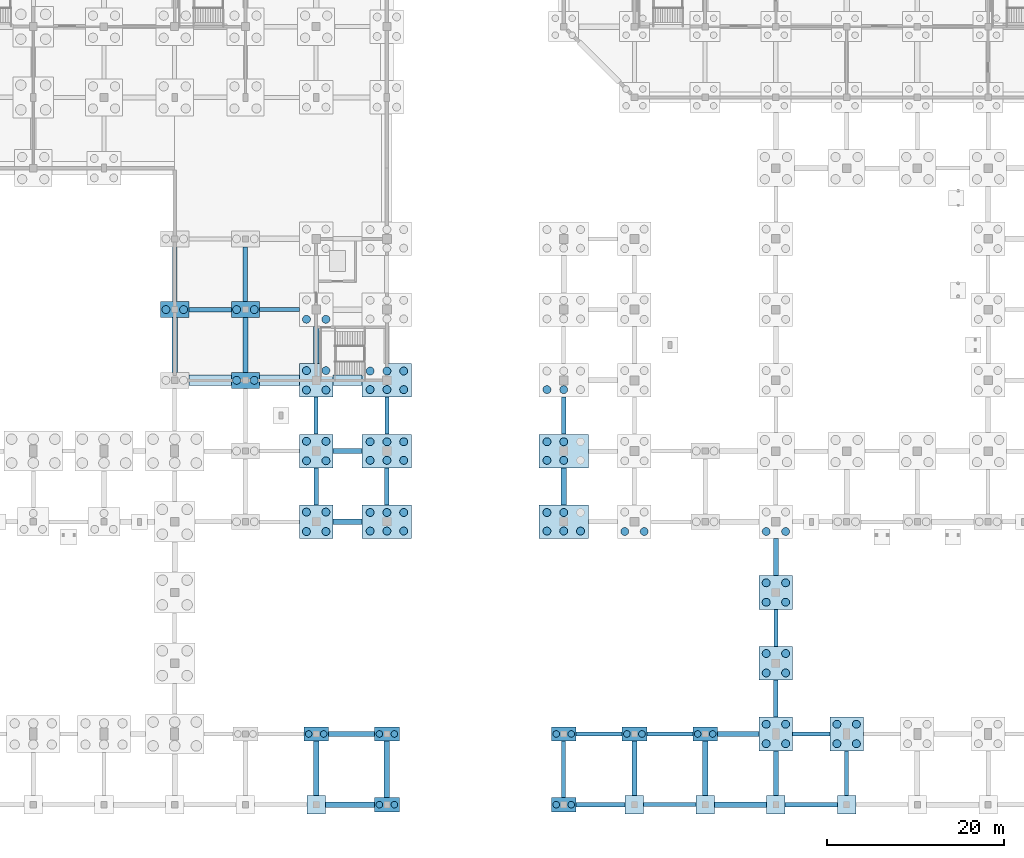
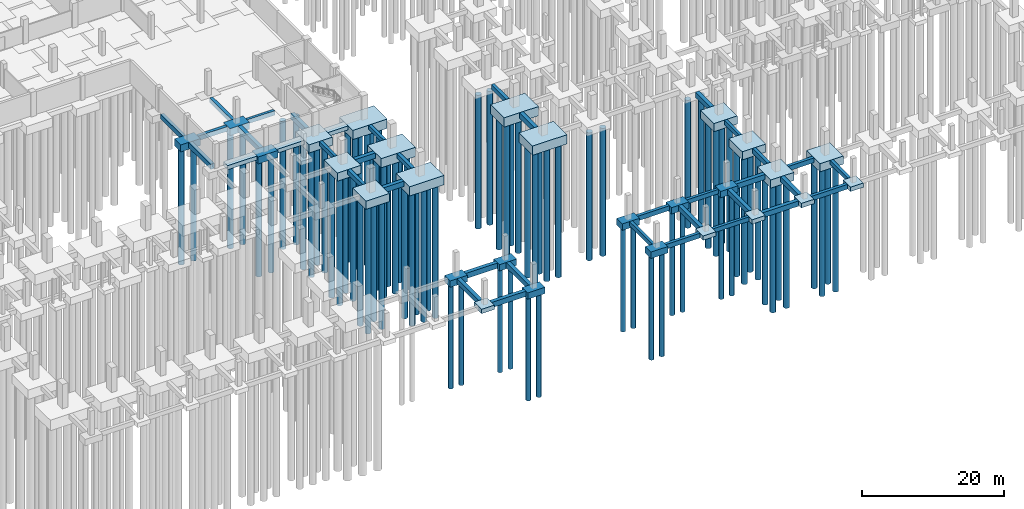
# One storey, part 3 of 32: 83 piles, 65 footings.
"""IFC4 building model written with IfcOpenShell, lengths in metres."""

from ifc_helpers import new_model, si_unit, direction, frame, origin, origin_2d, place, context, subcontext, project, spatial, polyline, rectangle, circle, outline, extrude, material, material_profile, profile_set, type_object, element, save


model = new_model("IFC4")

# Units and contexts
model_context = context("Model", 3, precision=1e-05, world=origin(), true_north=direction((0.0, 1.0)))
body_context = subcontext(model_context, "Body", "Model", "MODEL_VIEW")
ifc_project = project(units=[si_unit("LENGTHUNIT", "METRE"), si_unit("AREAUNIT", "SQUARE_METRE"), si_unit("VOLUMEUNIT", "CUBIC_METRE"), si_unit("PLANEANGLEUNIT", "RADIAN"), si_unit("MASSUNIT", "GRAM", prefix="KILO")], contexts=[model_context])

# Site, building, storey
site_placement = place(None, origin())
site = spatial("IfcSite", under=ifc_project, at=site_placement, CompositionType="ELEMENT")
building_placement = place(site_placement, origin())
building = spatial("IfcBuilding", under=site, at=building_placement, Name="Tenunan Teduh Sports Hall", CompositionType="ELEMENT")
storey_placement = place(building_placement, frame((0.0, 0.0, -4.199951171875)))
storey = spatial("IfcBuildingStorey", under=building, at=storey_placement, Name="B1", CompositionType="ELEMENT", Elevation=-4.199951171875)

# Footings
ifc_material_1 = material(Name="Concrete C40/50", Category="concrete")
ifc_material_profile_1 = material_profile(ifc_material_1, rectangle(XDim=0.449951171875, YDim=0.75, at=origin_2d()), Name="RCB 450x750")
ifc_profile_set_1 = profile_set([ifc_material_profile_1], Name="Concrete C40/50")
footing_type_1 = type_object("IfcFootingType", Name="GB-450x750", PredefinedType="FOOTING_BEAM", material=ifc_profile_set_1)
footing_1_placement = place(storey_placement, frame((107.052001953125, 6.0, -0.375), z_axis=(1.0, 0.0, 0.0), x_axis=(0.0, 1.0, 0.0)))
element("IfcFooting", 1, at=footing_1_placement, inside=storey, type_object=footing_type_1, Name="FTG-GBX-011", PredefinedType="FOOTING_BEAM", context=body_context, shape_type="SweptSolid", body=[
    extrude(rectangle(XDim=0.449951171875, YDim=0.75, at=origin_2d()), origin(), (0.0, 0.0, 1.0), 5.89599609375),
])
footing_2_placement = place(storey_placement, frame((107.402099609375, 14.0, -0.375), z_axis=(1.0, 0.0, 0.0), x_axis=(0.0, 1.0, 0.0)))
element("IfcFooting", 2, at=footing_2_placement, inside=storey, type_object=footing_type_1, Name="FTG-GBX-029", PredefinedType="FOOTING_BEAM", context=body_context, shape_type="SweptSolid", body=[
    extrude(rectangle(XDim=0.449951171875, YDim=0.75, at=origin_2d()), origin(), (0.0, 0.0, 1.0), 5.19580078125),
])
footing_3_placement = place(storey_placement, frame((63.60205078125, 62.0, -0.375), z_axis=(1.0, 0.0, 0.0), x_axis=(0.0, 1.0, 0.0)))
element("IfcFooting", 3, at=footing_3_placement, inside=storey, type_object=footing_type_1, Name="FTG-GBX-086", PredefinedType="FOOTING_BEAM", context=body_context, shape_type="SweptSolid", body=[
    extrude(rectangle(XDim=0.449951171875, YDim=0.75, at=origin_2d()), origin(), (0.0, 0.0, 1.0), 4.495849609375),
])
for number, where, z_axis, x_axis, name in (
    (4, (70.0, 47.902099609375, -0.375), (0.0, 1.0, 0.0), (-1.0, 0.0, 0.0), "FTG-GBY-246"),
    (5, (78.0, 47.902099609375, -0.375), (0.0, 1.0, 0.0), (-1.0, 0.0, 0.0), "FTG-GBY-255"),
):
    element("IfcFooting", number, at=place(storey_placement, frame(where, z_axis=z_axis, x_axis=x_axis)), inside=storey, type_object=footing_type_1, Name=name, PredefinedType="FOOTING_BEAM", context=body_context, shape_type="SweptSolid", body=[
        extrude(rectangle(XDim=0.449951171875, YDim=0.75, at=origin_2d()), origin(), (0.0, 0.0, 1.0), 4.19580078125),
    ])
footing_4_placement = place(storey_placement, frame((98.0, 6.802001953125, -0.375), z_axis=(0.0, 1.0, 0.0), x_axis=(-1.0, 0.0, 0.0)))
element("IfcFooting", 6, at=footing_4_placement, inside=storey, type_object=footing_type_1, Name="FTG-GBY-258", PredefinedType="FOOTING_BEAM", context=body_context, shape_type="SweptSolid", body=[
    extrude(rectangle(XDim=0.449951171875, YDim=0.75, at=origin_2d()), origin(), (0.0, 0.0, 1.0), 6.39599609375),
])
footing_5_placement = place(storey_placement, frame((122.0, 23.902099609375, -0.375), z_axis=(0.0, 1.0, 0.0), x_axis=(-1.0, 0.0, 0.0)))
element("IfcFooting", 7, at=footing_5_placement, inside=storey, type_object=footing_type_1, Name="FTG-GBY-280", PredefinedType="FOOTING_BEAM", context=body_context, shape_type="SweptSolid", body=[
    extrude(rectangle(XDim=0.449951171875, YDim=0.75, at=origin_2d()), origin(), (0.0, 0.0, 1.0), 4.19580078125),
])
footing_6_placement = place(storey_placement, frame((130.0, 7.052001953125, -0.375), z_axis=(0.0, 1.0, 0.0), x_axis=(-1.0, 0.0, 0.0)))
element("IfcFooting", 8, at=footing_6_placement, inside=storey, type_object=footing_type_1, Name="FTG-GBY-292", PredefinedType="FOOTING_BEAM", context=body_context, shape_type="SweptSolid", body=[
    extrude(rectangle(XDim=0.449951171875, YDim=0.75, at=origin_2d()), origin(), (0.0, 0.0, 1.0), 5.0458984375),
])
ifc_material_2 = material(Name="Concrete C40/50", Category="concrete")
ifc_material_profile_2 = material_profile(ifc_material_2, rectangle(XDim=0.5, YDim=0.800048828125, at=origin_2d()), Name="RCB 500x800")
ifc_profile_set_2 = profile_set([ifc_material_profile_2], Name="Concrete C40/50")
footing_type_2 = type_object("IfcFootingType", Name="GB-500x800", PredefinedType="FOOTING_BEAM", material=ifc_profile_set_2)
footing_7_placement = place(storey_placement, frame((99.402099609375, 6.0, -0.400146484375), z_axis=(1.0, 0.0, 0.0), x_axis=(0.0, 1.0, 0.0)))
element("IfcFooting", 9, at=footing_7_placement, inside=storey, type_object=footing_type_2, Name="FTG-GBX-010", PredefinedType="FOOTING_BEAM", context=body_context, shape_type="SweptSolid", body=[
    extrude(rectangle(XDim=0.5, YDim=0.800048828125, at=origin_2d()), origin(), (0.0, 0.0, 1.0), 5.5458984375),
])
footing_8_placement = place(storey_placement, frame((123.052001953125, 6.0, -0.400146484375), z_axis=(1.0, 0.0, 0.0), x_axis=(0.0, 1.0, 0.0)))
element("IfcFooting", 10, at=footing_8_placement, inside=storey, type_object=footing_type_2, Name="FTG-GBX-013", PredefinedType="FOOTING_BEAM", context=body_context, shape_type="SweptSolid", body=[
    extrude(rectangle(XDim=0.5, YDim=0.800048828125, at=origin_2d()), origin(), (0.0, 0.0, 1.0), 5.89599609375),
])
footing_9_placement = place(storey_placement, frame((99.402099609375, 14.0, -0.400146484375), z_axis=(1.0, 0.0, 0.0), x_axis=(0.0, 1.0, 0.0)))
element("IfcFooting", 11, at=footing_9_placement, inside=storey, type_object=footing_type_2, Name="FTG-GBX-028", PredefinedType="FOOTING_BEAM", context=body_context, shape_type="SweptSolid", body=[
    extrude(rectangle(XDim=0.5, YDim=0.800048828125, at=origin_2d()), origin(), (0.0, 0.0, 1.0), 5.19580078125),
])
footing_10_placement = place(storey_placement, frame((123.902099609375, 14.0, -0.400146484375), z_axis=(1.0, 0.0, 0.0), x_axis=(0.0, 1.0, 0.0)))
element("IfcFooting", 12, at=footing_10_placement, inside=storey, type_object=footing_type_2, Name="FTG-GBX-031", PredefinedType="FOOTING_BEAM", context=body_context, shape_type="SweptSolid", body=[
    extrude(rectangle(XDim=0.5, YDim=0.800048828125, at=origin_2d()), origin(), (0.0, 0.0, 1.0), 4.19580078125),
])
footing_11_placement = place(storey_placement, frame((55.60205078125, 62.0, -0.400146484375), z_axis=(1.0, 0.0, 0.0), x_axis=(0.0, 1.0, 0.0)))
element("IfcFooting", 13, at=footing_11_placement, inside=storey, type_object=footing_type_2, Name="FTG-GBX-085", PredefinedType="FOOTING_BEAM", context=body_context, shape_type="SweptSolid", body=[
    extrude(rectangle(XDim=0.5, YDim=0.800048828125, at=origin_2d()), origin(), (0.0, 0.0, 1.0), 4.7958984375),
])
for number, where, z_axis, x_axis, name in (
    (14, (54.0, 62.902099609375, -0.400146484375), (0.0, 1.0, 0.0), (-1.0, 0.0, 0.0), "FTG-GBY-230"),
    (15, (62.0, 62.902099609375, -0.400146484375), (0.0, 1.0, 0.0), (-1.0, 0.0, 0.0), "FTG-GBY-239"),
):
    element("IfcFooting", number, at=place(storey_placement, frame(where, z_axis=z_axis, x_axis=x_axis)), inside=storey, type_object=footing_type_2, Name=name, PredefinedType="FOOTING_BEAM", context=body_context, shape_type="SweptSolid", body=[
        extrude(rectangle(XDim=0.5, YDim=0.800048828125, at=origin_2d()), origin(), (0.0, 0.0, 1.0), 6.19580078125),
    ])
for number, where, z_axis, x_axis, name in (
    (16, (70.0, 39.902099609375, -0.400146484375), (0.0, 1.0, 0.0), (-1.0, 0.0, 0.0), "FTG-GBY-245"),
    (17, (78.0, 39.902099609375, -0.400146484375), (0.0, 1.0, 0.0), (-1.0, 0.0, 0.0), "FTG-GBY-254"),
    (18, (98.0, 47.902099609375, -0.400146484375), (0.0, 1.0, 0.0), (-1.0, 0.0, 0.0), "FTG-GBY-260"),
    (19, (122.0, 15.902099609375, -0.400146484375), (0.0, 1.0, 0.0), (-1.0, 0.0, 0.0), "FTG-GBY-279"),
):
    element("IfcFooting", number, at=place(storey_placement, frame(where, z_axis=z_axis, x_axis=x_axis)), inside=storey, type_object=footing_type_2, Name=name, PredefinedType="FOOTING_BEAM", context=body_context, shape_type="SweptSolid", body=[
        extrude(rectangle(XDim=0.5, YDim=0.800048828125, at=origin_2d()), origin(), (0.0, 0.0, 1.0), 4.19580078125),
    ])
ifc_material_3 = material(Name="Concrete C40/50", Category="concrete")
ifc_material_profile_3 = material_profile(ifc_material_3, rectangle(XDim=0.60009765625, YDim=0.89990234375, at=origin_2d()), Name="RCB 600x900")
ifc_profile_set_3 = profile_set([ifc_material_profile_3], Name="Concrete C40/50")
footing_type_3 = type_object("IfcFootingType", Name="GB-600x900", PredefinedType="FOOTING_BEAM", material=ifc_profile_set_3)
footing_12_placement = place(storey_placement, frame((71.052001953125, 6.0, -0.449951171875), z_axis=(1.0, 0.0, 0.0), x_axis=(0.0, 1.0, 0.0)))
element("IfcFooting", 20, at=footing_12_placement, inside=storey, type_object=footing_type_3, Name="FTG-GBX-009", PredefinedType="FOOTING_BEAM", context=body_context, shape_type="SweptSolid", body=[
    extrude(rectangle(XDim=0.60009765625, YDim=0.89990234375, at=origin_2d()), origin(), (0.0, 0.0, 1.0), 5.5458984375),
])
footing_13_placement = place(storey_placement, frame((115.052001953125, 6.0, -0.449951171875), z_axis=(1.0, 0.0, 0.0), x_axis=(0.0, 1.0, 0.0)))
element("IfcFooting", 21, at=footing_13_placement, inside=storey, type_object=footing_type_3, Name="FTG-GBX-012", PredefinedType="FOOTING_BEAM", context=body_context, shape_type="SweptSolid", body=[
    extrude(rectangle(XDim=0.60009765625, YDim=0.89990234375, at=origin_2d()), origin(), (0.0, 0.0, 1.0), 5.89599609375),
])
footing_14_placement = place(storey_placement, frame((71.402099609375, 14.0, -0.449951171875), z_axis=(1.0, 0.0, 0.0), x_axis=(0.0, 1.0, 0.0)))
element("IfcFooting", 22, at=footing_14_placement, inside=storey, type_object=footing_type_3, Name="FTG-GBX-027", PredefinedType="FOOTING_BEAM", context=body_context, shape_type="SweptSolid", body=[
    extrude(rectangle(XDim=0.60009765625, YDim=0.89990234375, at=origin_2d()), origin(), (0.0, 0.0, 1.0), 5.19580078125),
])
footing_15_placement = place(storey_placement, frame((115.402099609375, 14.0, -0.449951171875), z_axis=(1.0, 0.0, 0.0), x_axis=(0.0, 1.0, 0.0)))
element("IfcFooting", 23, at=footing_15_placement, inside=storey, type_object=footing_type_3, Name="FTG-GBX-030", PredefinedType="FOOTING_BEAM", context=body_context, shape_type="SweptSolid", body=[
    extrude(rectangle(XDim=0.60009765625, YDim=0.89990234375, at=origin_2d()), origin(), (0.0, 0.0, 1.0), 4.69580078125),
])
for number, where, z_axis, x_axis, name in (
    (24, (71.902099609375, 38.0, -0.449951171875), (1.0, 0.0, 0.0), (0.0, 1.0, 0.0), "FTG-GBX-048"),
    (25, (71.902099609375, 46.0, -0.449951171875), (1.0, 0.0, 0.0), (0.0, 1.0, 0.0), "FTG-GBX-069"),
):
    element("IfcFooting", number, at=place(storey_placement, frame(where, z_axis=z_axis, x_axis=x_axis)), inside=storey, type_object=footing_type_3, Name=name, PredefinedType="FOOTING_BEAM", context=body_context, shape_type="SweptSolid", body=[
        extrude(rectangle(XDim=0.60009765625, YDim=0.89990234375, at=origin_2d()), origin(), (0.0, 0.0, 1.0), 3.2958984375),
    ])
for number, where, z_axis, x_axis, name in (
    (26, (54.0, 54.902099609375, -0.449951171875), (0.0, 1.0, 0.0), (-1.0, 0.0, 0.0), "FTG-GBY-229"),
    (27, (62.0, 54.902099609375, -0.449951171875), (0.0, 1.0, 0.0), (-1.0, 0.0, 0.0), "FTG-GBY-238"),
):
    element("IfcFooting", number, at=place(storey_placement, frame(where, z_axis=z_axis, x_axis=x_axis)), inside=storey, type_object=footing_type_3, Name=name, PredefinedType="FOOTING_BEAM", context=body_context, shape_type="SweptSolid", body=[
        extrude(rectangle(XDim=0.60009765625, YDim=0.89990234375, at=origin_2d()), origin(), (0.0, 0.0, 1.0), 6.19580078125),
    ])
footing_16_placement = place(storey_placement, frame((70.0, 7.052001953125, -0.449951171875), z_axis=(0.0, 1.0, 0.0), x_axis=(-1.0, 0.0, 0.0)))
element("IfcFooting", 28, at=footing_16_placement, inside=storey, type_object=footing_type_3, Name="FTG-GBY-244", PredefinedType="FOOTING_BEAM", context=body_context, shape_type="SweptSolid", body=[
    extrude(rectangle(XDim=0.60009765625, YDim=0.89990234375, at=origin_2d()), origin(), (0.0, 0.0, 1.0), 6.14599609375),
])
footing_17_placement = place(storey_placement, frame((70.0, 55.902099609375, -0.449951171875), z_axis=(0.0, 1.0, 0.0), x_axis=(-1.0, 0.0, 0.0)))
element("IfcFooting", 29, at=footing_17_placement, inside=storey, type_object=footing_type_3, Name="FTG-GBY-247", PredefinedType="FOOTING_BEAM", context=body_context, shape_type="SweptSolid", body=[
    extrude(rectangle(XDim=0.60009765625, YDim=0.89990234375, at=origin_2d()), origin(), (0.0, 0.0, 1.0), 4.19580078125),
])
footing_18_placement = place(storey_placement, frame((78.0, 6.802001953125, -0.449951171875), z_axis=(0.0, 1.0, 0.0), x_axis=(-1.0, 0.0, 0.0)))
element("IfcFooting", 30, at=footing_18_placement, inside=storey, type_object=footing_type_3, Name="FTG-GBY-253", PredefinedType="FOOTING_BEAM", context=body_context, shape_type="SweptSolid", body=[
    extrude(rectangle(XDim=0.60009765625, YDim=0.89990234375, at=origin_2d()), origin(), (0.0, 0.0, 1.0), 6.39599609375),
])
footing_19_placement = place(storey_placement, frame((98.0, 39.902099609375, -0.449951171875), z_axis=(0.0, 1.0, 0.0), x_axis=(-1.0, 0.0, 0.0)))
element("IfcFooting", 31, at=footing_19_placement, inside=storey, type_object=footing_type_3, Name="FTG-GBY-259", PredefinedType="FOOTING_BEAM", context=body_context, shape_type="SweptSolid", body=[
    extrude(rectangle(XDim=0.60009765625, YDim=0.89990234375, at=origin_2d()), origin(), (0.0, 0.0, 1.0), 4.19580078125),
])
for number, where, z_axis, x_axis, name in (
    (32, (106.0, 7.052001953125, -0.449951171875), (0.0, 1.0, 0.0), (-1.0, 0.0, 0.0), "FTG-GBY-263"),
    (33, (114.0, 7.052001953125, -0.449951171875), (0.0, 1.0, 0.0), (-1.0, 0.0, 0.0), "FTG-GBY-272"),
):
    element("IfcFooting", number, at=place(storey_placement, frame(where, z_axis=z_axis, x_axis=x_axis)), inside=storey, type_object=footing_type_3, Name=name, PredefinedType="FOOTING_BEAM", context=body_context, shape_type="SweptSolid", body=[
        extrude(rectangle(XDim=0.60009765625, YDim=0.89990234375, at=origin_2d()), origin(), (0.0, 0.0, 1.0), 6.14599609375),
    ])
footing_20_placement = place(storey_placement, frame((122.0, 7.052001953125, -0.449951171875), z_axis=(0.0, 1.0, 0.0), x_axis=(-1.0, 0.0, 0.0)))
element("IfcFooting", 34, at=footing_20_placement, inside=storey, type_object=footing_type_3, Name="FTG-GBY-278", PredefinedType="FOOTING_BEAM", context=body_context, shape_type="SweptSolid", body=[
    extrude(rectangle(XDim=0.60009765625, YDim=0.89990234375, at=origin_2d()), origin(), (0.0, 0.0, 1.0), 5.0458984375),
])
footing_21_placement = place(storey_placement, frame((122.0, 31.902099609375, -0.449951171875), z_axis=(0.0, 1.0, 0.0), x_axis=(-1.0, 0.0, 0.0)))
element("IfcFooting", 35, at=footing_21_placement, inside=storey, type_object=footing_type_3, Name="FTG-GBY-281", PredefinedType="FOOTING_BEAM", context=body_context, shape_type="SweptSolid", body=[
    extrude(rectangle(XDim=0.60009765625, YDim=0.89990234375, at=origin_2d()), origin(), (0.0, 0.0, 1.0), 4.19580078125),
])
ifc_material_4 = material(Name="Concrete C40/50", Category="concrete")
footing_type_4 = type_object("IfcFootingType", Name="PC-2A", PredefinedType="PILE_CAP", material=ifc_material_4)
for number, where, z_axis, x_axis, name in (
    (36, (70.0, 14.0, -1.10009765625), (0.0, 0.0, 1.0), (1.0, 0.0, 0.0), "FTG-PC-098"),
    (37, (78.0, 6.0, -1.10009765625), (0.0, 0.0, 1.0), (1.0, 0.0, 0.0), "FTG-PC-109"),
    (38, (78.0, 14.0, -1.10009765625), (0.0, 0.0, 1.0), (1.0, 0.0, 0.0), "FTG-PC-110"),
    (39, (98.0, 6.0, -1.10009765625), (0.0, 0.0, 1.0), (1.0, 0.0, 0.0), "FTG-PC-120"),
    (40, (98.0, 14.0, -1.10009765625), (0.0, 0.0, 1.0), (1.0, 0.0, 0.0), "FTG-PC-121"),
    (41, (106.0, 14.0, -1.10009765625), (0.0, 0.0, 1.0), (1.0, 0.0, 0.0), "FTG-PC-131"),
    (42, (114.0, 14.0, -1.10009765625), (0.0, 0.0, 1.0), (1.0, 0.0, 0.0), "FTG-PC-143"),
):
    element("IfcFooting", number, at=place(storey_placement, frame(where, z_axis=z_axis, x_axis=x_axis)), inside=storey, type_object=footing_type_4, Name=name, PredefinedType="PILE_CAP", context=body_context, shape_type="SweptSolid", body=[
        extrude(rectangle(XDim=2.800048828125, YDim=1.60009765625, at=origin_2d()), origin(), (0.0, 0.0, 1.0), 1.10009765625),
    ])
ifc_material_5 = material(Name="Concrete C40/50", Category="concrete")
footing_type_5 = type_object("IfcFootingType", Name="PC-2B", PredefinedType="PILE_CAP", material=ifc_material_5)
for number, where, z_axis, x_axis, name in (
    (43, (54.0, 62.0, -1.2001953125), (0.0, 0.0, 1.0), (1.0, 0.0, 0.0), "FTG-PC-078"),
    (44, (62.0, 54.0, -1.2001953125), (0.0, 0.0, 1.0), (1.0, 0.0, 0.0), "FTG-PC-089"),
    (45, (62.0, 62.0, -1.2001953125), (0.0, 0.0, 1.0), (1.0, 0.0, 0.0), "FTG-PC-090"),
):
    element("IfcFooting", number, at=place(storey_placement, frame(where, z_axis=z_axis, x_axis=x_axis)), inside=storey, type_object=footing_type_5, Name=name, PredefinedType="PILE_CAP", context=body_context, shape_type="SweptSolid", body=[
        extrude(rectangle(XDim=3.199951171875, YDim=1.800048828125, at=origin_2d()), origin(), (0.0, 0.0, 1.0), 1.199951171875),
    ])
ifc_material_6 = material(Name="Concrete C40/50", Category="concrete")
footing_type_6 = type_object("IfcFootingType", Name="PC-4B", PredefinedType="PILE_CAP", material=ifc_material_6)
for number, where, z_axis, x_axis, name in (
    (46, (70.0, 38.0, -1.39990234375), (0.0, 0.0, 1.0), (1.0, 0.0, 0.0), "FTG-PC-099"),
    (47, (70.0, 46.0, -1.39990234375), (0.0, 0.0, 1.0), (1.0, 0.0, 0.0), "FTG-PC-100"),
    (48, (70.0, 54.0, -1.39990234375), (0.0, 0.0, 1.0), (1.0, 0.0, 0.0), "FTG-PC-101"),
    (49, (122.0, 14.0, -1.39990234375), (0.0, 0.0, 1.0), (1.0, 0.0, 0.0), "FTG-PC-152"),
    (50, (122.0, 22.0, -1.39990234375), (0.0, 0.0, 1.0), (1.0, 0.0, 0.0), "FTG-PC-153"),
    (51, (122.0, 30.0, -1.39990234375), (0.0, 0.0, 1.0), (1.0, 0.0, 0.0), "FTG-PC-154"),
    (52, (130.0, 14.0, -1.39990234375), (0.0, 0.0, 1.0), (1.0, 0.0, 0.0), "FTG-PC-167"),
):
    element("IfcFooting", number, at=place(storey_placement, frame(where, z_axis=z_axis, x_axis=x_axis)), inside=storey, type_object=footing_type_6, Name=name, PredefinedType="PILE_CAP", context=body_context, shape_type="SweptSolid", body=[
        extrude(rectangle(XDim=3.800048828125, YDim=3.800048828125, at=origin_2d()), origin(), (0.0, 0.0, 1.0), 1.39990234375),
    ])
ifc_material_7 = material(Name="Concrete C40/50", Category="concrete")
footing_type_7 = type_object("IfcFootingType", Name="PC-6A", PredefinedType="PILE_CAP", material=ifc_material_7)
for number, where, z_axis, x_axis, name in (
    (53, (78.0, 38.0, -1.60009765625), (0.0, 0.0, 1.0), (1.0, 0.0, 0.0), "FTG-PC-111"),
    (54, (78.0, 46.0, -1.60009765625), (0.0, 0.0, 1.0), (1.0, 0.0, 0.0), "FTG-PC-112"),
    (55, (78.0, 54.0, -1.60009765625), (0.0, 0.0, 1.0), (1.0, 0.0, 0.0), "FTG-PC-113"),
    (56, (98.0, 38.0, -1.60009765625), (0.0, 0.0, 1.0), (1.0, 0.0, 0.0), "FTG-PC-122"),
    (57, (98.0, 46.0, -1.60009765625), (0.0, 0.0, 1.0), (1.0, 0.0, 0.0), "FTG-PC-123"),
):
    element("IfcFooting", number, at=place(storey_placement, frame(where, z_axis=z_axis, x_axis=x_axis)), inside=storey, type_object=footing_type_7, Name=name, PredefinedType="PILE_CAP", context=body_context, shape_type="SweptSolid", body=[
        extrude(rectangle(XDim=5.60009765625, YDim=3.800048828125, at=origin_2d()), origin(), (0.0, 0.0, 1.0), 1.60009765625),
    ])
ifc_material_8 = material(Name="Concrete C40/50", Category="concrete")
footing_type_8 = type_object("IfcFootingType", Name="PF-1B", PredefinedType="PAD_FOOTING", material=ifc_material_8)
for number, where, z_axis, x_axis, name in (
    (58, (70.0, 6.0, -0.75), (0.0, 0.0, 1.0), (1.0, 0.0, 0.0), "FTG-PAD-097"),
    (59, (106.0, 6.0, -0.75), (0.0, 0.0, 1.0), (1.0, 0.0, 0.0), "FTG-PAD-130"),
    (60, (114.0, 6.0, -0.75), (0.0, 0.0, 1.0), (1.0, 0.0, 0.0), "FTG-PAD-142"),
    (61, (122.0, 6.0, -0.75), (0.0, 0.0, 1.0), (1.0, 0.0, 0.0), "FTG-PAD-151"),
    (62, (130.0, 6.0, -0.75), (0.0, 0.0, 1.0), (1.0, 0.0, 0.0), "FTG-PAD-166"),
):
    element("IfcFooting", number, at=place(storey_placement, frame(where, z_axis=z_axis, x_axis=x_axis)), inside=storey, type_object=footing_type_8, Name=name, PredefinedType="PAD_FOOTING", context=body_context, shape_type="SweptSolid", body=[
        extrude(rectangle(XDim=2.10009765625, YDim=2.10009765625, at=origin_2d()), origin(), (0.0, 0.0, 1.0), 0.75),
    ])

# Piles
ifc_material_9 = material(Name="Concrete C40/50", Category="concrete")
ifc_material_profile_4 = material_profile(ifc_material_9, circle(Radius=0.375, at=origin_2d()), Name="PILE D750")
ifc_profile_set_4 = profile_set([ifc_material_profile_4], Name="Concrete C40/50")
pile_type_1 = type_object("IfcPileType", Name="PILE-D750", PredefinedType="BORED", material=ifc_profile_set_4)
for number, where, z_axis, x_axis, name in (
    (63, (69.14990234375, 14.0, -1.0), (0.0, 0.0, -1.0), (1.0, 0.0, 0.0), "PILE-PL-1-098-1"),
    (64, (70.85009765625, 14.0, -1.0), (0.0, 0.0, -1.0), (1.0, 0.0, 0.0), "PILE-PL-1-098-2"),
    (65, (77.14990234375, 6.0, -1.0), (0.0, 0.0, -1.0), (1.0, 0.0, 0.0), "PILE-PL-1-109-1"),
    (66, (78.85009765625, 6.0, -1.0), (0.0, 0.0, -1.0), (1.0, 0.0, 0.0), "PILE-PL-1-109-2"),
    (67, (77.14990234375, 14.0, -1.0), (0.0, 0.0, -1.0), (1.0, 0.0, 0.0), "PILE-PL-1-110-1"),
    (68, (78.85009765625, 14.0, -1.0), (0.0, 0.0, -1.0), (1.0, 0.0, 0.0), "PILE-PL-1-110-2"),
    (69, (97.14990234375, 6.0, -1.0), (0.0, 0.0, -1.0), (1.0, 0.0, 0.0), "PILE-PL-1-120-1"),
    (70, (98.85009765625, 6.0, -1.0), (0.0, 0.0, -1.0), (1.0, 0.0, 0.0), "PILE-PL-1-120-2"),
    (71, (97.14990234375, 14.0, -1.0), (0.0, 0.0, -1.0), (1.0, 0.0, 0.0), "PILE-PL-1-121-1"),
    (72, (98.85009765625, 14.0, -1.0), (0.0, 0.0, -1.0), (1.0, 0.0, 0.0), "PILE-PL-1-121-2"),
    (73, (105.14990234375, 14.0, -1.0), (0.0, 0.0, -1.0), (1.0, 0.0, 0.0), "PILE-PL-1-131-1"),
    (74, (106.85009765625, 14.0, -1.0), (0.0, 0.0, -1.0), (1.0, 0.0, 0.0), "PILE-PL-1-131-2"),
    (75, (113.14990234375, 14.0, -1.0), (0.0, 0.0, -1.0), (1.0, 0.0, 0.0), "PILE-PL-1-143-1"),
    (76, (114.85009765625, 14.0, -1.0), (0.0, 0.0, -1.0), (1.0, 0.0, 0.0), "PILE-PL-1-143-2"),
):
    element("IfcPile", number, at=place(storey_placement, frame(where, z_axis=z_axis, x_axis=x_axis)), inside=storey, type_object=pile_type_1, Name=name, PredefinedType="BORED", context=body_context, shape_type="SweptSolid", body=[
        extrude(circle(Radius=0.375, at=origin_2d()), origin(), (0.0, 0.0, 1.0), 18.0),
    ])
ifc_material_10 = material(Name="Concrete C40/50", Category="concrete")
ifc_material_profile_5 = material_profile(ifc_material_10, circle(Radius=0.449951171875, at=origin_2d()), Name="PILE D900")
ifc_profile_set_5 = profile_set([ifc_material_profile_5], Name="Concrete C40/50")
pile_type_2 = type_object("IfcPileType", Name="PILE-D900", PredefinedType="BORED", material=ifc_profile_set_5)
for number, where, z_axis, x_axis, name in (
    (77, (53.0, 62.0, -1.10009765625), (0.0, 0.0, -1.0), (1.0, 0.0, 0.0), "PILE-PL-2-078-1"),
    (78, (55.0, 62.0, -1.10009765625), (0.0, 0.0, -1.0), (1.0, 0.0, 0.0), "PILE-PL-2-078-2"),
    (79, (61.0, 54.0, -1.10009765625), (0.0, 0.0, -1.0), (1.0, 0.0, 0.0), "PILE-PL-2-089-1"),
    (80, (63.0, 54.0, -1.10009765625), (0.0, 0.0, -1.0), (1.0, 0.0, 0.0), "PILE-PL-2-089-2"),
    (81, (61.0, 62.0, -1.10009765625), (0.0, 0.0, -1.0), (1.0, 0.0, 0.0), "PILE-PL-2-090-1"),
    (82, (63.0, 62.0, -1.10009765625), (0.0, 0.0, -1.0), (1.0, 0.0, 0.0), "PILE-PL-2-090-2"),
):
    element("IfcPile", number, at=place(storey_placement, frame(where, z_axis=z_axis, x_axis=x_axis)), inside=storey, type_object=pile_type_2, Name=name, PredefinedType="BORED", context=body_context, shape_type="SweptSolid", body=[
        extrude(circle(Radius=0.449951171875, at=origin_2d()), origin(), (0.0, 0.0, 1.0), 20.0),
    ])
for number, where, z_axis, x_axis, name in (
    (83, (68.89990234375, 36.89990234375, -1.300048828125), (0.0, 0.0, -1.0), (1.0, 0.0, 0.0), "PILE-PL-2-099-1"),
    (84, (71.10009765625, 36.89990234375, -1.300048828125), (0.0, 0.0, -1.0), (1.0, 0.0, 0.0), "PILE-PL-2-099-2"),
    (85, (68.89990234375, 39.10009765625, -1.300048828125), (0.0, 0.0, -1.0), (1.0, 0.0, 0.0), "PILE-PL-2-099-3"),
    (86, (71.10009765625, 39.10009765625, -1.300048828125), (0.0, 0.0, -1.0), (1.0, 0.0, 0.0), "PILE-PL-2-099-4"),
    (87, (68.89990234375, 44.89990234375, -1.300048828125), (0.0, 0.0, -1.0), (1.0, 0.0, 0.0), "PILE-PL-2-100-1"),
    (88, (71.10009765625, 44.89990234375, -1.300048828125), (0.0, 0.0, -1.0), (1.0, 0.0, 0.0), "PILE-PL-2-100-2"),
    (89, (68.89990234375, 47.10009765625, -1.300048828125), (0.0, 0.0, -1.0), (1.0, 0.0, 0.0), "PILE-PL-2-100-3"),
    (90, (71.10009765625, 47.10009765625, -1.300048828125), (0.0, 0.0, -1.0), (1.0, 0.0, 0.0), "PILE-PL-2-100-4"),
    (91, (68.89990234375, 52.89990234375, -1.300048828125), (0.0, 0.0, -1.0), (1.0, 0.0, 0.0), "PILE-PL-2-101-1"),
    (92, (71.10009765625, 52.89990234375, -1.300048828125), (0.0, 0.0, -1.0), (1.0, 0.0, 0.0), "PILE-PL-2-101-2"),
    (93, (68.89990234375, 55.10009765625, -1.300048828125), (0.0, 0.0, -1.0), (1.0, 0.0, 0.0), "PILE-PL-2-101-3"),
    (94, (71.10009765625, 55.10009765625, -1.300048828125), (0.0, 0.0, -1.0), (1.0, 0.0, 0.0), "PILE-PL-2-101-4"),
    (95, (68.89990234375, 60.89990234375, -1.300048828125), (0.0, 0.0, -1.0), (1.0, 0.0, 0.0), "PILE-PL-2-102-1"),
    (96, (71.10009765625, 60.89990234375, -1.300048828125), (0.0, 0.0, -1.0), (1.0, 0.0, 0.0), "PILE-PL-2-102-2"),
):
    element("IfcPile", number, at=place(storey_placement, frame(where, z_axis=z_axis, x_axis=x_axis)), inside=storey, type_object=pile_type_2, Name=name, PredefinedType="BORED", context=body_context, shape_type="SweptSolid", body=[
        extrude(circle(Radius=0.449951171875, at=origin_2d()), origin(), (0.0, 0.0, 1.0), 22.0),
    ])
for number, where, z_axis, x_axis, name in (
    (97, (76.10009765625, 36.949951171875, -1.5), (0.0, 0.0, -1.0), (1.0, 0.0, 0.0), "PILE-PL-2-111-1"),
    (98, (78.0, 36.949951171875, -1.5), (0.0, 0.0, -1.0), (1.0, 0.0, 0.0), "PILE-PL-2-111-2"),
    (99, (79.89990234375, 36.949951171875, -1.5), (0.0, 0.0, -1.0), (1.0, 0.0, 0.0), "PILE-PL-2-111-3"),
    (100, (76.10009765625, 39.050048828125, -1.5), (0.0, 0.0, -1.0), (1.0, 0.0, 0.0), "PILE-PL-2-111-4"),
    (101, (78.0, 39.050048828125, -1.5), (0.0, 0.0, -1.0), (1.0, 0.0, 0.0), "PILE-PL-2-111-5"),
    (102, (79.89990234375, 39.050048828125, -1.5), (0.0, 0.0, -1.0), (1.0, 0.0, 0.0), "PILE-PL-2-111-6"),
    (103, (76.10009765625, 44.949951171875, -1.5), (0.0, 0.0, -1.0), (1.0, 0.0, 0.0), "PILE-PL-2-112-1"),
    (104, (78.0, 44.949951171875, -1.5), (0.0, 0.0, -1.0), (1.0, 0.0, 0.0), "PILE-PL-2-112-2"),
    (105, (79.89990234375, 44.949951171875, -1.5), (0.0, 0.0, -1.0), (1.0, 0.0, 0.0), "PILE-PL-2-112-3"),
    (106, (76.10009765625, 47.050048828125, -1.5), (0.0, 0.0, -1.0), (1.0, 0.0, 0.0), "PILE-PL-2-112-4"),
    (107, (78.0, 47.050048828125, -1.5), (0.0, 0.0, -1.0), (1.0, 0.0, 0.0), "PILE-PL-2-112-5"),
    (108, (79.89990234375, 47.050048828125, -1.5), (0.0, 0.0, -1.0), (1.0, 0.0, 0.0), "PILE-PL-2-112-6"),
    (109, (76.10009765625, 52.949951171875, -1.5), (0.0, 0.0, -1.0), (1.0, 0.0, 0.0), "PILE-PL-2-113-1"),
    (110, (78.0, 52.949951171875, -1.5), (0.0, 0.0, -1.0), (1.0, 0.0, 0.0), "PILE-PL-2-113-2"),
    (111, (79.89990234375, 52.949951171875, -1.5), (0.0, 0.0, -1.0), (1.0, 0.0, 0.0), "PILE-PL-2-113-3"),
    (112, (76.10009765625, 55.050048828125, -1.5), (0.0, 0.0, -1.0), (1.0, 0.0, 0.0), "PILE-PL-2-113-4"),
    (113, (78.0, 55.050048828125, -1.5), (0.0, 0.0, -1.0), (1.0, 0.0, 0.0), "PILE-PL-2-113-5"),
    (114, (79.89990234375, 55.050048828125, -1.5), (0.0, 0.0, -1.0), (1.0, 0.0, 0.0), "PILE-PL-2-113-6"),
    (115, (96.10009765625, 36.949951171875, -1.5), (0.0, 0.0, -1.0), (1.0, 0.0, 0.0), "PILE-PL-2-122-1"),
    (116, (98.0, 36.949951171875, -1.5), (0.0, 0.0, -1.0), (1.0, 0.0, 0.0), "PILE-PL-2-122-2"),
    (117, (99.89990234375, 36.949951171875, -1.5), (0.0, 0.0, -1.0), (1.0, 0.0, 0.0), "PILE-PL-2-122-3"),
    (118, (96.10009765625, 39.050048828125, -1.5), (0.0, 0.0, -1.0), (1.0, 0.0, 0.0), "PILE-PL-2-122-4"),
    (119, (98.0, 39.050048828125, -1.5), (0.0, 0.0, -1.0), (1.0, 0.0, 0.0), "PILE-PL-2-122-5"),
    (120, (96.10009765625, 44.949951171875, -1.5), (0.0, 0.0, -1.0), (1.0, 0.0, 0.0), "PILE-PL-2-123-1"),
    (121, (98.0, 44.949951171875, -1.5), (0.0, 0.0, -1.0), (1.0, 0.0, 0.0), "PILE-PL-2-123-2"),
    (122, (96.10009765625, 47.050048828125, -1.5), (0.0, 0.0, -1.0), (1.0, 0.0, 0.0), "PILE-PL-2-123-4"),
    (123, (98.0, 47.050048828125, -1.5), (0.0, 0.0, -1.0), (1.0, 0.0, 0.0), "PILE-PL-2-123-5"),
    (124, (96.10009765625, 52.949951171875, -1.5), (0.0, 0.0, -1.0), (1.0, 0.0, 0.0), "PILE-PL-2-124-1"),
    (125, (98.0, 52.949951171875, -1.5), (0.0, 0.0, -1.0), (1.0, 0.0, 0.0), "PILE-PL-2-124-2"),
):
    element("IfcPile", number, at=place(storey_placement, frame(where, z_axis=z_axis, x_axis=x_axis)), inside=storey, type_object=pile_type_2, Name=name, PredefinedType="BORED", context=body_context, shape_type="SweptSolid", body=[
        extrude(circle(Radius=0.449951171875, at=origin_2d()), origin(), (0.0, 0.0, 1.0), 23.0),
    ])
for number, where, z_axis, x_axis, name in (
    (126, (104.89990234375, 36.89990234375, -1.300048828125), (0.0, 0.0, -1.0), (1.0, 0.0, 0.0), "PILE-PL-2-132-1"),
    (127, (107.10009765625, 36.89990234375, -1.300048828125), (0.0, 0.0, -1.0), (1.0, 0.0, 0.0), "PILE-PL-2-132-2"),
    (128, (120.89990234375, 12.89990234375, -1.300048828125), (0.0, 0.0, -1.0), (1.0, 0.0, 0.0), "PILE-PL-2-152-1"),
    (129, (123.10009765625, 12.89990234375, -1.300048828125), (0.0, 0.0, -1.0), (1.0, 0.0, 0.0), "PILE-PL-2-152-2"),
    (130, (120.89990234375, 15.10009765625, -1.300048828125), (0.0, 0.0, -1.0), (1.0, 0.0, 0.0), "PILE-PL-2-152-3"),
    (131, (123.10009765625, 15.10009765625, -1.300048828125), (0.0, 0.0, -1.0), (1.0, 0.0, 0.0), "PILE-PL-2-152-4"),
    (132, (120.89990234375, 20.89990234375, -1.300048828125), (0.0, 0.0, -1.0), (1.0, 0.0, 0.0), "PILE-PL-2-153-1"),
    (133, (123.10009765625, 20.89990234375, -1.300048828125), (0.0, 0.0, -1.0), (1.0, 0.0, 0.0), "PILE-PL-2-153-2"),
    (134, (120.89990234375, 23.10009765625, -1.300048828125), (0.0, 0.0, -1.0), (1.0, 0.0, 0.0), "PILE-PL-2-153-3"),
    (135, (123.10009765625, 23.10009765625, -1.300048828125), (0.0, 0.0, -1.0), (1.0, 0.0, 0.0), "PILE-PL-2-153-4"),
    (136, (120.89990234375, 28.89990234375, -1.300048828125), (0.0, 0.0, -1.0), (1.0, 0.0, 0.0), "PILE-PL-2-154-1"),
    (137, (123.10009765625, 28.89990234375, -1.300048828125), (0.0, 0.0, -1.0), (1.0, 0.0, 0.0), "PILE-PL-2-154-2"),
    (138, (120.89990234375, 31.10009765625, -1.300048828125), (0.0, 0.0, -1.0), (1.0, 0.0, 0.0), "PILE-PL-2-154-3"),
    (139, (123.10009765625, 31.10009765625, -1.300048828125), (0.0, 0.0, -1.0), (1.0, 0.0, 0.0), "PILE-PL-2-154-4"),
    (140, (120.89990234375, 36.89990234375, -1.300048828125), (0.0, 0.0, -1.0), (1.0, 0.0, 0.0), "PILE-PL-2-155-1"),
    (141, (123.10009765625, 36.89990234375, -1.300048828125), (0.0, 0.0, -1.0), (1.0, 0.0, 0.0), "PILE-PL-2-155-2"),
    (142, (128.89990234375, 12.89990234375, -1.300048828125), (0.0, 0.0, -1.0), (1.0, 0.0, 0.0), "PILE-PL-2-167-1"),
    (143, (131.10009765625, 12.89990234375, -1.300048828125), (0.0, 0.0, -1.0), (1.0, 0.0, 0.0), "PILE-PL-2-167-2"),
    (144, (128.89990234375, 15.10009765625, -1.300048828125), (0.0, 0.0, -1.0), (1.0, 0.0, 0.0), "PILE-PL-2-167-3"),
    (145, (131.10009765625, 15.10009765625, -1.300048828125), (0.0, 0.0, -1.0), (1.0, 0.0, 0.0), "PILE-PL-2-167-4"),
):
    element("IfcPile", number, at=place(storey_placement, frame(where, z_axis=z_axis, x_axis=x_axis)), inside=storey, type_object=pile_type_2, Name=name, PredefinedType="BORED", context=body_context, shape_type="SweptSolid", body=[
        extrude(circle(Radius=0.449951171875, at=origin_2d()), origin(), (0.0, 0.0, 1.0), 22.0),
    ])

# Footings
ifc_material_11 = material(Name="Concrete C40/50", Category="concrete")
footing_type_9 = type_object("IfcFootingType", Name="SF-1200x700", PredefinedType="STRIP_FOOTING", material=ifc_material_11)
footing_22_placement = place(storey_placement, frame((0.0, 0.0, -0.699951171875)))
element("IfcFooting", 146, at=footing_22_placement, inside=storey, type_object=footing_type_9, Name="FTG-SF-05-01", PredefinedType="STRIP_FOOTING", context=body_context, shape_type="SweptSolid", body=[
    extrude(outline(polyline([(55.60205078125, 53.39990234375), (60.39794921875, 53.39990234375), (60.39794921875, 54.60009765625), (55.60205078125, 54.60009765625), (55.60205078125, 53.39990234375)])), origin(), (0.0, 0.0, 1.0), 0.699951171875),
])
footing_23_placement = place(storey_placement, frame((0.0, 0.0, -0.699951171875)))
element("IfcFooting", 147, at=footing_23_placement, inside=storey, type_object=footing_type_9, Name="FTG-SF-05-02", PredefinedType="STRIP_FOOTING", context=body_context, shape_type="SweptSolid", body=[
    extrude(outline(polyline([(63.60205078125, 53.39990234375), (68.097900390625, 53.39990234375), (68.097900390625, 54.60009765625), (63.60205078125, 54.60009765625), (63.60205078125, 53.39990234375)])), origin(), (0.0, 0.0, 1.0), 0.699951171875),
])
footing_24_placement = place(storey_placement, frame((0.0, 0.0, -0.699951171875)))
element("IfcFooting", 148, at=footing_24_placement, inside=storey, type_object=footing_type_9, Name="FTG-SF-05-03", PredefinedType="STRIP_FOOTING", context=body_context, shape_type="SweptSolid", body=[
    extrude(outline(polyline([(71.902099609375, 53.39990234375), (75.197998046875, 53.39990234375), (75.197998046875, 54.60009765625), (71.902099609375, 54.60009765625), (71.902099609375, 53.39990234375)])), origin(), (0.0, 0.0, 1.0), 0.699951171875),
])

save(model, "model.ifc")
